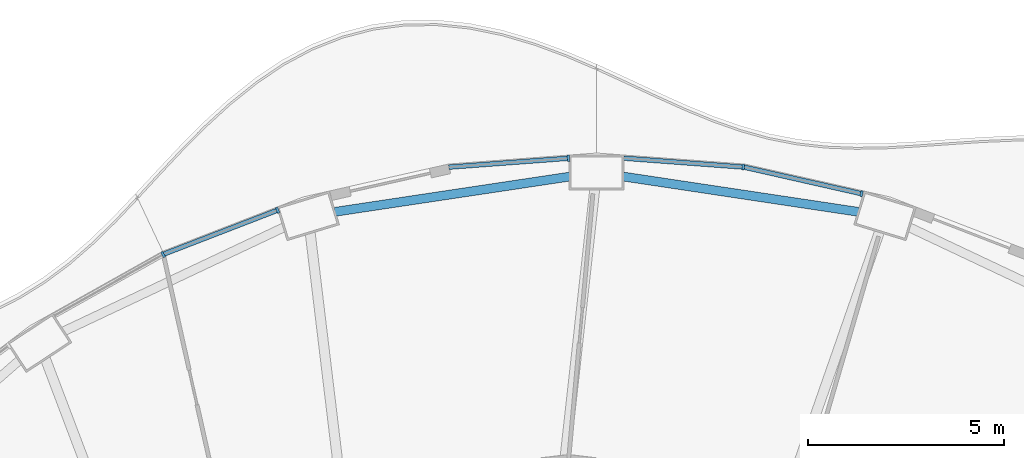
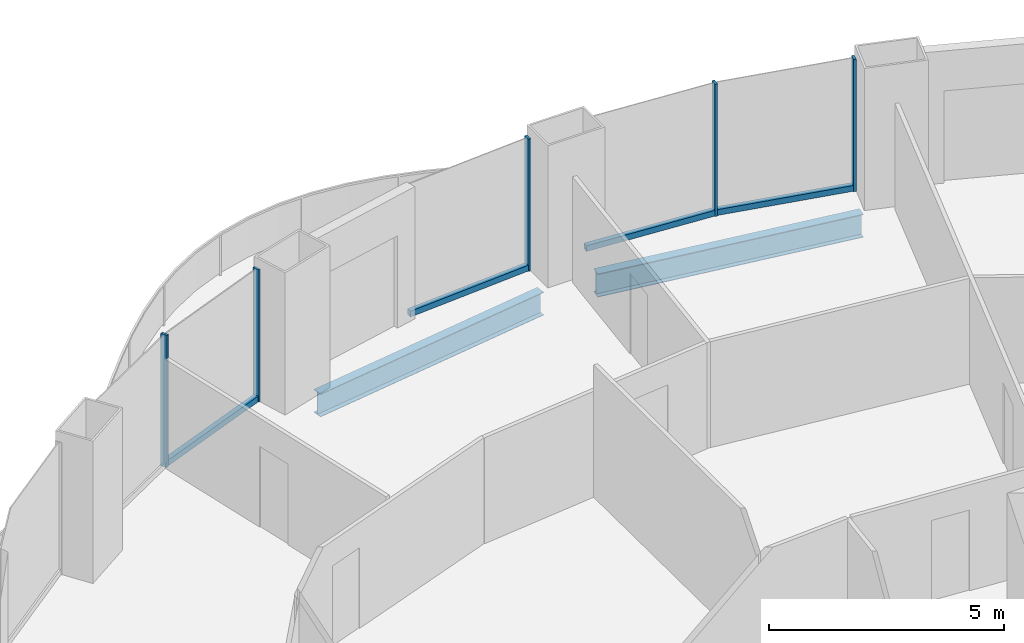
# One storey, part 11 of 22: 9 members, 2 beams, 5 elements without a shape of their own.
"""IFC4 building model written with IfcOpenShell, lengths in metres."""

from ifc_helpers import new_model, si_unit, direction, frame, origin, origin_2d, place, context, subcontext, project, spatial, rectangle, i_section, extrude, material, layer, layer_set, material_profile, profile_set, type_object, element, aggregate, save


model = new_model("IFC4")

# Units and contexts
model_context = context("Model", 3, precision=1e-05, world=origin(), true_north=direction((0.0, 1.0)))
body_context = subcontext(model_context, "Body", "Model", "MODEL_VIEW")
ifc_project = project(units=[si_unit("LENGTHUNIT", "METRE"), si_unit("AREAUNIT", "SQUARE_METRE"), si_unit("VOLUMEUNIT", "CUBIC_METRE"), si_unit("PLANEANGLEUNIT", "RADIAN"), si_unit("MASSUNIT", "GRAM", prefix="KILO")], contexts=[model_context])

# Site, building, storey
site_placement = place(None, origin())
site = spatial("IfcSite", under=ifc_project, at=site_placement, CompositionType="ELEMENT")
building_placement = place(site_placement, origin())
building = spatial("IfcBuilding", under=site, at=building_placement, Name="Nagisa Residences", CompositionType="ELEMENT")
storey_placement = place(building_placement, frame((0.0, 0.0, 38.10009765625)))
storey = spatial("IfcBuildingStorey", under=building, at=storey_placement, Name="L08", CompositionType="ELEMENT", Elevation=38.10009765625)

# Curtain wall, member
ifc_material_1 = material(Name="Concrete-coloured aluminium curtain wall system", Category="concrete")
ifc_layer = layer(ifc_material_1, 0.159912109375)
ifc_layer_set = layer_set([ifc_layer], Name="CW1 CURTAIN WALL")
curtain_wall_type = type_object("IfcCurtainWallType", Name="CW1 CURTAIN WALL", PredefinedType="NOTDEFINED", material=ifc_layer_set)
curtain_wall_1_placement = place(storey_placement, origin())
curtain_wall_1 = element("IfcCurtainWall", 1, at=curtain_wall_1_placement, inside=storey, type_object=curtain_wall_type, Name="cw:CW1:L08:10", PredefinedType="NOTDEFINED")
ifc_material_2 = material(Name="Concrete-coloured aluminium", Category="concrete")
ifc_material_profile_1 = material_profile(ifc_material_2, rectangle(XDim=0.159912109375, YDim=0.06005859375, at=origin_2d()), Name="CW1 MULLION 160x60")
ifc_profile_set_1 = profile_set([ifc_material_profile_1], Name="Concrete-coloured aluminium")
member_type_1 = type_object("IfcMemberType", Name="CW1 MULLION 160x60", PredefinedType="MULLION", material=ifc_profile_set_1)
member_1_placement = place(storey_placement, frame((10.376220703125, 31.958740234375, 0.0), z_axis=(0.0, 0.0, 1.0), x_axis=(-0.2207639201, -0.975327274089, 0.0)))
member_1 = element("IfcMember", 2, at=member_1_placement, type_object=member_type_1, Name="CW1 mullion", PredefinedType="MULLION", context=body_context, shape_type="SweptSolid", body=[
    extrude(rectangle(XDim=0.159912109375, YDim=0.06005859375, at=origin_2d()), origin(), (0.0, 0.0, 1.0), 3.43994140625),
])

curtain_wall_2_placement = place(storey_placement, origin())
curtain_wall_2 = element("IfcCurtainWall", 3, at=curtain_wall_2_placement, inside=storey, type_object=curtain_wall_type, Name="cw:CW1:L08:11", PredefinedType="NOTDEFINED")
member_2_placement = place(storey_placement, frame((7.349365234375, 32.64013671875, 0.0), z_axis=(0.0, 0.0, 1.0), x_axis=(-0.074377355493, -0.997230168512, 0.0)))
member_2 = element("IfcMember", 4, at=member_2_placement, type_object=member_type_1, Name="CW1 mullion", PredefinedType="MULLION", context=body_context, shape_type="SweptSolid", body=[
    extrude(rectangle(XDim=0.159912109375, YDim=0.06005859375, at=origin_2d()), origin(), (0.0, 0.0, 1.0), 3.43994140625),
])

curtain_wall_3_placement = place(storey_placement, origin())
curtain_wall_3 = element("IfcCurtainWall", 5, at=curtain_wall_3_placement, inside=storey, type_object=curtain_wall_type, Name="cw:CW1:L08:12", PredefinedType="NOTDEFINED")
member_3_placement = place(storey_placement, frame((2.8779296875, 32.865966796875, 0.0), z_axis=(0.0, 0.0, 1.0), x_axis=(0.074377355493, -0.997230168512, 0.0)))
member_3 = element("IfcMember", 6, at=member_3_placement, type_object=member_type_1, Name="CW1 mullion", PredefinedType="MULLION", context=body_context, shape_type="SweptSolid", body=[
    extrude(rectangle(XDim=0.159912109375, YDim=0.06005859375, at=origin_2d()), origin(), (0.0, 0.0, 1.0), 3.43994140625),
])

curtain_wall_4_placement = place(storey_placement, origin())
curtain_wall_4 = element("IfcCurtainWall", 7, at=curtain_wall_4_placement, inside=storey, type_object=curtain_wall_type, Name="cw:CW1:L08:14", PredefinedType="NOTDEFINED")
member_4_placement = place(storey_placement, frame((-4.557861328125, 31.537841796875, 0.0), z_axis=(0.0, 0.0, 1.0), x_axis=(0.360327770268, -0.932825759707, 0.0)))
member_4 = element("IfcMember", 8, at=member_4_placement, type_object=member_type_1, Name="CW1 mullion", PredefinedType="MULLION", context=body_context, shape_type="SweptSolid", body=[
    extrude(rectangle(XDim=0.159912109375, YDim=0.06005859375, at=origin_2d()), origin(), (0.0, 0.0, 1.0), 3.43994140625),
])

curtain_wall_5_placement = place(storey_placement, origin())
curtain_wall_5 = element("IfcCurtainWall", 9, at=curtain_wall_5_placement, inside=storey, type_object=curtain_wall_type, Name="cw:CW1:L08:15", PredefinedType="NOTDEFINED")
member_5_placement = place(storey_placement, frame((-7.48486328125, 30.403564453125, 0.0), z_axis=(0.0, 0.0, 1.0), x_axis=(0.489376918501, -0.872072377523, 0.0)))
member_5 = element("IfcMember", 10, at=member_5_placement, type_object=member_type_1, Name="CW1 mullion", PredefinedType="MULLION", context=body_context, shape_type="SweptSolid", body=[
    extrude(rectangle(XDim=0.159912109375, YDim=0.06005859375, at=origin_2d()), origin(), (0.0, 0.0, 1.0), 3.43994140625),
])
aggregate(curtain_wall_5, [member_5])

# Member
ifc_material_3 = material(Name="Concrete-coloured aluminium", Category="concrete")
ifc_material_profile_2 = material_profile(ifc_material_3, rectangle(XDim=0.1201171875, YDim=0.14990234375, at=origin_2d()), Name="CW1 TRANSOM 120x150")
ifc_profile_set_2 = profile_set([ifc_material_profile_2], Name="Concrete-coloured aluminium")
member_type_2 = type_object("IfcMemberType", Name="CW1 TRANSOM 120x150", PredefinedType="USERDEFINED", material=ifc_profile_set_2)
member_6_placement = place(storey_placement, frame((10.4052734375, 31.9521484375, 0.074951171875), z_axis=(-0.975331134677, 0.220746863466, 0.0), x_axis=(-0.220746863466, -0.975331134677, 0.0)))
member_6 = element("IfcMember", 11, at=member_6_placement, type_object=member_type_2, Name="CW1 transom", ObjectType="TRANSOM", PredefinedType="USERDEFINED", context=body_context, shape_type="SweptSolid", body=[
    extrude(rectangle(XDim=0.1201171875, YDim=0.14990234375, at=origin_2d()), origin(), (0.0, 0.0, 1.0), 3.114501953125),
])

aggregate(curtain_wall_1, [member_1, member_6])

member_7_placement = place(storey_placement, frame((7.37939453125, 32.637939453125, 0.074951171875), z_axis=(-0.997231270995, 0.07436257224, 0.0), x_axis=(-0.07436257224, -0.997231270995, 0.0)))
member_7 = element("IfcMember", 12, at=member_7_placement, type_object=member_type_2, Name="CW1 transom", ObjectType="TRANSOM", PredefinedType="USERDEFINED", context=body_context, shape_type="SweptSolid", body=[
    extrude(rectangle(XDim=0.1201171875, YDim=0.14990234375, at=origin_2d()), origin(), (0.0, 0.0, 1.0), 3.095947265625),
])

aggregate(curtain_wall_2, [member_2, member_7])

member_8_placement = place(storey_placement, frame((2.907958984375, 32.8681640625, 0.074951171875), z_axis=(-0.997230834878, -0.074368420505, 0.0), x_axis=(0.074368420505, -0.997230834878, 0.0)))
member_8 = element("IfcMember", 13, at=member_8_placement, type_object=member_type_2, Name="CW1 transom", ObjectType="TRANSOM", PredefinedType="USERDEFINED", context=body_context, shape_type="SweptSolid", body=[
    extrude(rectangle(XDim=0.1201171875, YDim=0.14990234375, at=origin_2d()), origin(), (0.0, 0.0, 1.0), 3.095703125),
])

aggregate(curtain_wall_3, [member_3, member_8])

member_9_placement = place(storey_placement, frame((-4.52978515625, 31.548583984375, 0.074951171875), z_axis=(-0.932835426425, -0.360302743822, 0.0), x_axis=(0.360302743822, -0.932835426425, 0.0)))
member_9 = element("IfcMember", 14, at=member_9_placement, type_object=member_type_2, Name="CW1 transom", ObjectType="TRANSOM", PredefinedType="USERDEFINED", context=body_context, shape_type="SweptSolid", body=[
    extrude(rectangle(XDim=0.1201171875, YDim=0.14990234375, at=origin_2d()), origin(), (0.0, 0.0, 1.0), 3.15087890625),
])

aggregate(curtain_wall_4, [member_4, member_9])

# Beams
ifc_material_4 = material(Name="Steel ASTM A572 Gr 50", Category="steel")
ifc_material_profile_3 = material_profile(ifc_material_4, i_section(OverallWidth=0.22802734375, OverallDepth=0.60302734375, WebThickness=0.010498046875, FlangeThickness=0.014892578125, at=origin_2d()), Name="W610x101")
ifc_profile_set_3 = profile_set([ifc_material_profile_3], Name="Steel ASTM A572 Gr 50")
beam_type = type_object("IfcBeamType", Name="Perimeter ring beam W610x101", PredefinedType="BEAM", material=ifc_profile_set_3)
for number, where, z_axis, x_axis, name in (
    (15, (10.29638671875, 31.49462890625, -0.5615234375), (-0.988914559467, 0.14848566959, 0.0), (-0.14848566959, -0.988914559467, 0.0), "beam:L08:pb06"),
    (16, (2.919677734375, 32.39794921875, -0.5615234375), (-0.988914559467, -0.14848566959, 0.0), (0.14848566959, -0.988914559467, 0.0), "beam:L08:pb07"),
):
    element("IfcBeam", number, at=place(storey_placement, frame(where, z_axis=z_axis, x_axis=x_axis)), inside=storey, type_object=beam_type, Name=name, PredefinedType="BEAM", context=body_context, shape_type="SweptSolid", body=[
        extrude(i_section(OverallWidth=0.22802734375, OverallDepth=0.60302734375, WebThickness=0.010498046875, FlangeThickness=0.014892578125, at=origin_2d()), origin(), (0.0, 0.0, 1.0), 6.08349609375),
    ])

save(model, "model.ifc")
